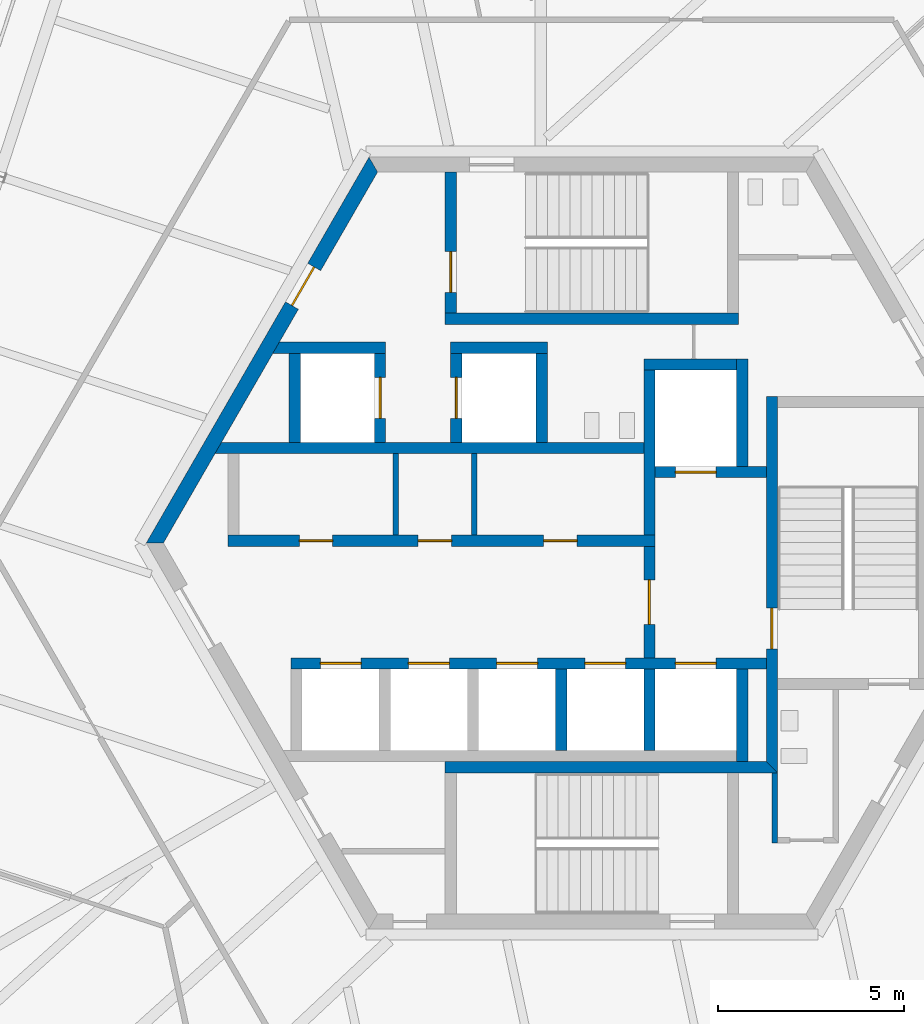
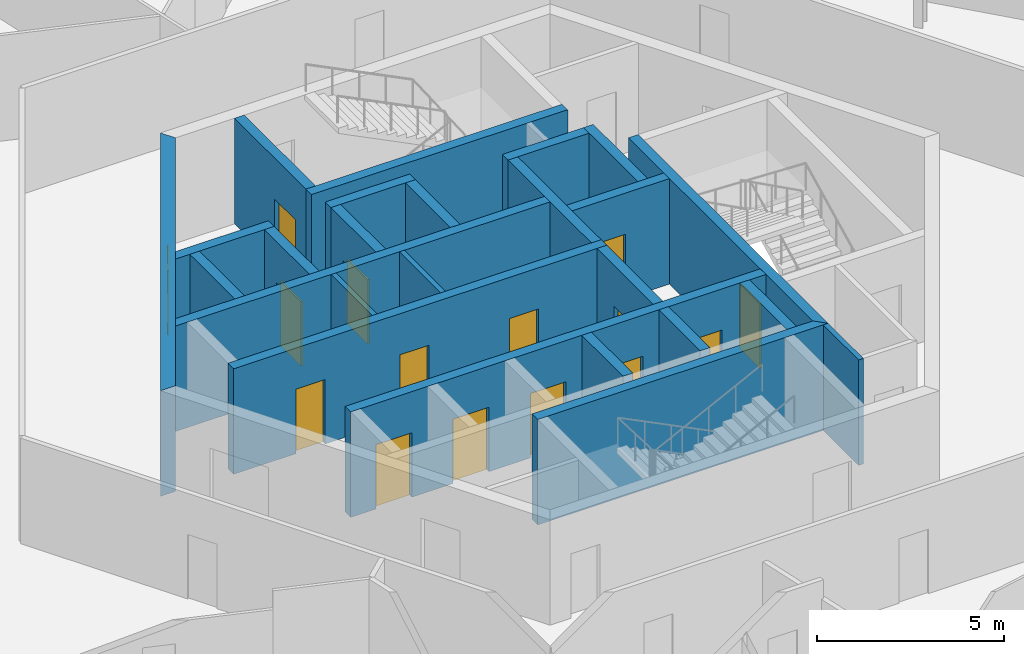
# One storey, part 11 of 15: 25 walls, 15 doors, 15 openings.
"""IFC4 building model written with IfcOpenShell, lengths in metres."""

from ifc_helpers import new_model, si_unit, direction, frame, frame_2d, origin, place, context, subcontext, project, spatial, polyline, rectangle, outline, extrude, source, transform, mapped, material, layer, layer_set, type_object, element, fill, save


model = new_model("IFC4")

# Units and contexts
model_context = context("Model", 3, precision=1e-05, world=origin(), true_north=direction((0.0, 1.0)))
body_context = subcontext(model_context, "Body", "Model", "MODEL_VIEW")
ifc_project = project(units=[si_unit("LENGTHUNIT", "METRE"), si_unit("AREAUNIT", "SQUARE_METRE"), si_unit("VOLUMEUNIT", "CUBIC_METRE"), si_unit("PLANEANGLEUNIT", "RADIAN"), si_unit("MASSUNIT", "GRAM", prefix="KILO")], contexts=[model_context])

# Site, building, storey
site_placement = place(None, origin())
site = spatial("IfcSite", under=ifc_project, at=site_placement, CompositionType="ELEMENT")
building_placement = place(site_placement, origin())
building = spatial("IfcBuilding", under=site, at=building_placement, Name="Triune Harvest Tower", CompositionType="ELEMENT")
storey_placement = place(building_placement, frame((0.0, 0.0, 270.300048828125)))
storey = spatial("IfcBuildingStorey", under=building, at=storey_placement, Name="L71", CompositionType="ELEMENT", Elevation=270.300048828125)

# Wall, opening, door
ifc_material_1 = material(Name="Concrete 70 MPa", Category="concrete")
ifc_layer_1 = layer(ifc_material_1, 0.39990234375)
ifc_layer_set_1 = layer_set([ifc_layer_1], Name="Concrete 70 MPa")
wall_type_1 = type_object("IfcWallType", Name="Core wall 400", PredefinedType="SHEAR", material=ifc_layer_set_1)
shared_shape_1 = source(origin(), body_context, "Body", "SweptSolid", [
    extrude(outline(polyline([(-0.115478515625, -0.199951171875), (11.884521484375, -0.199951171875), (11.653564453125, 0.199951171875), (0.115478515625, 0.199951171875), (-0.115478515625, -0.199951171875)])), origin(), (0.0, 0.0, 1.0), 3.43994140625),
])
wall_1_placement = place(storey_placement, frame((-5.884521484375, 10.1923828125, 0.0), z_axis=(0.0, 0.0, 1.0), x_axis=(-0.499996592174, -0.866027371285, 0.0)))
wall_1 = element("IfcWall", 1, at=wall_1_placement, inside=storey, type_object=wall_type_1, Name="Hexagon 2 wall", PredefinedType="SHEAR", context=body_context, shape_type="MappedRepresentation", body=[
    mapped(shared_shape_1, transform((0.0, 0.0, 0.0), scale=1.0)),
])
opening_1_placement = place(wall_1_placement, frame((3.1845703125, 0.0, 0.0)))
opening_1 = element("IfcOpeningElement", 2, at=opening_1_placement, cuts=wall_1, Name="Opening CD-SVP", PredefinedType="OPENING", context=body_context, shape_type="SweptSolid", body=[
    extrude(rectangle(XDim=1.199951171875, YDim=2.10009765625, at=frame_2d((0.60009765625, 1.050048828125))), frame((0.0, 0.2099609375, 0.0), z_axis=(0.0, -1.0, 0.0), x_axis=(1.0, 0.0, 0.0)), (0.0, 0.0, 1.0), 0.419921875),
])
ifc_material_2 = material(Name="Steel S235", Category="steel")
door_type_1 = type_object("IfcDoorType", Name="Service door 1200 FD120", OperationType="SINGLE_SWING_LEFT", PredefinedType="DOOR", material=ifc_material_2)
door_1_placement = place(opening_1_placement, frame((1.199951171875, 0.0, 0.0), z_axis=(0.0, 0.0, 1.0), x_axis=(-1.0, 0.0, 0.0)))
door_1 = element("IfcDoor", 3, at=door_1_placement, inside=storey, type_object=door_type_1, Name="Door CD-SVP", OperationType="SINGLE_SWING_RIGHT", OverallHeight=2.10009765625, OverallWidth=1.199951171875, PredefinedType="DOOR", context=body_context, shape_type="SweptSolid", body=[
    extrude(rectangle(XDim=1.199951171875, YDim=2.10009765625, at=frame_2d((0.60009765625, 1.050048828125))), frame((0.0, 0.02490234375, 0.0), z_axis=(0.0, -1.0, 0.0), x_axis=(1.0, 0.0, 0.0)), (0.0, 0.0, 1.0), 0.050048828125),
])
fill(opening_1, door_1)

# Wall, openings, doors
ifc_material_3 = material(Name="Concrete 70 MPa", Category="concrete")
ifc_layer_2 = layer(ifc_material_3, 0.300048828125)
ifc_layer_set_2 = layer_set([ifc_layer_2], Name="Concrete 70 MPa")
wall_type_2 = type_object("IfcWallType", Name="Core wall 300", PredefinedType="SHEAR", material=ifc_layer_set_2)
shared_shape_2 = source(origin(), body_context, "Body", "SweptSolid", [
    extrude(rectangle(XDim=11.5, YDim=0.300048828125, at=frame_2d((5.75, 0.0))), origin(), (0.0, 0.0, 1.0), 3.43994140625),
])
wall_2_placement = place(storey_placement, frame((-9.800048828125, 0.06005859375, 0.0), z_axis=(0.0, 0.0, 1.0), x_axis=(1.0, 0.0, 0.0)))
wall_2 = element("IfcWall", 4, at=wall_2_placement, inside=storey, type_object=wall_type_2, Name="North front wall", PredefinedType="SHEAR", context=body_context, shape_type="MappedRepresentation", body=[
    mapped(shared_shape_2, transform((0.0, 0.0, 0.0), scale=1.0)),
])
opening_2_placement = place(wall_2_placement, frame((1.922607421875, 0.0, 0.0)))
opening_2 = element("IfcOpeningElement", 5, at=opening_2_placement, cuts=wall_2, Name="Opening CD-RN1", PredefinedType="OPENING", context=body_context, shape_type="SweptSolid", body=[
    extrude(rectangle(XDim=0.89990234375, YDim=2.10009765625, at=frame_2d((0.449951171875, 1.050048828125))), frame((0.0, 0.16015625, 0.0), z_axis=(0.0, -1.0, 0.0), x_axis=(1.0, 0.0, 0.0)), (0.0, 0.0, 1.0), 0.320068359375),
])
opening_3_placement = place(wall_2_placement, frame((5.125, 0.0, 0.0)))
opening_3 = element("IfcOpeningElement", 6, at=opening_3_placement, cuts=wall_2, Name="Opening CD-RN2", PredefinedType="OPENING", context=body_context, shape_type="SweptSolid", body=[
    extrude(rectangle(XDim=0.89990234375, YDim=2.10009765625, at=frame_2d((0.449951171875, 1.050048828125))), frame((0.0, 0.16015625, 0.0), z_axis=(0.0, -1.0, 0.0), x_axis=(1.0, 0.0, 0.0)), (0.0, 0.0, 1.0), 0.320068359375),
])
opening_4_placement = place(wall_2_placement, frame((8.50244140625, 0.0, 0.0)))
opening_4 = element("IfcOpeningElement", 7, at=opening_4_placement, cuts=wall_2, Name="Opening CD-RN3", PredefinedType="OPENING", context=body_context, shape_type="SweptSolid", body=[
    extrude(rectangle(XDim=0.89990234375, YDim=2.10009765625, at=frame_2d((0.449951171875, 1.050048828125))), frame((0.0, 0.16015625, 0.0), z_axis=(0.0, -1.0, 0.0), x_axis=(1.0, 0.0, 0.0)), (0.0, 0.0, 1.0), 0.320068359375),
])
ifc_material_4 = material(Name="Steel S235", Category="steel")
door_type_2 = type_object("IfcDoorType", Name="Riser door 900 FD120", OperationType="SINGLE_SWING_LEFT", PredefinedType="DOOR", material=ifc_material_4)
door_2_placement = place(opening_2_placement, frame((0.89990234375, 0.0, 0.0), z_axis=(0.0, 0.0, 1.0), x_axis=(-1.0, 0.0, 0.0)))
door_2 = element("IfcDoor", 8, at=door_2_placement, inside=storey, type_object=door_type_2, Name="Door CD-RN1", OperationType="SINGLE_SWING_RIGHT", OverallHeight=2.10009765625, OverallWidth=0.89990234375, PredefinedType="DOOR", context=body_context, shape_type="SweptSolid", body=[
    extrude(rectangle(XDim=0.89990234375, YDim=2.10009765625, at=frame_2d((0.449951171875, 1.050048828125))), frame((0.0, 0.02490234375, 0.0), z_axis=(0.0, -1.0, 0.0), x_axis=(1.0, 0.0, 0.0)), (0.0, 0.0, 1.0), 0.050048828125),
])
fill(opening_2, door_2)
door_3_placement = place(opening_3_placement, frame((0.89990234375, 0.0, 0.0), z_axis=(0.0, 0.0, 1.0), x_axis=(-1.0, 0.0, 0.0)))
door_3 = element("IfcDoor", 9, at=door_3_placement, inside=storey, type_object=door_type_2, Name="Door CD-RN2", OperationType="SINGLE_SWING_RIGHT", OverallHeight=2.10009765625, OverallWidth=0.89990234375, PredefinedType="DOOR", context=body_context, shape_type="SweptSolid", body=[
    extrude(rectangle(XDim=0.89990234375, YDim=2.10009765625, at=frame_2d((0.449951171875, 1.050048828125))), frame((0.0, 0.02490234375, 0.0), z_axis=(0.0, -1.0, 0.0), x_axis=(1.0, 0.0, 0.0)), (0.0, 0.0, 1.0), 0.050048828125),
])
fill(opening_3, door_3)
door_4_placement = place(opening_4_placement, frame((0.89990234375, 0.0, 0.0), z_axis=(0.0, 0.0, 1.0), x_axis=(-1.0, 0.0, 0.0)))
door_4 = element("IfcDoor", 10, at=door_4_placement, inside=storey, type_object=door_type_2, Name="Door CD-RN3", OperationType="SINGLE_SWING_RIGHT", OverallHeight=2.10009765625, OverallWidth=0.89990234375, PredefinedType="DOOR", context=body_context, shape_type="SweptSolid", body=[
    extrude(rectangle(XDim=0.89990234375, YDim=2.10009765625, at=frame_2d((0.449951171875, 1.050048828125))), frame((0.0, 0.02490234375, 0.0), z_axis=(0.0, -1.0, 0.0), x_axis=(1.0, 0.0, 0.0)), (0.0, 0.0, 1.0), 0.050048828125),
])
fill(opening_4, door_4)

# Walls
shared_shape_3 = source(origin(), body_context, "Body", "SweptSolid", [
    extrude(outline(polyline([(11.199951171875, -0.14990234375), (-0.34912109375, -0.14990234375), (-0.17578125, 0.14990234375), (11.199951171875, 0.14990234375), (11.199951171875, -0.14990234375)])), origin(), (0.0, 0.0, 1.0), 3.43994140625),
])
wall_3_placement = place(storey_placement, frame((-9.800048828125, 2.56005859375, 0.0), z_axis=(0.0, 0.0, 1.0), x_axis=(1.0, 0.0, 0.0)))
element("IfcWall", 11, at=wall_3_placement, inside=storey, type_object=wall_type_2, Name="North back wall", PredefinedType="SHEAR", context=body_context, shape_type="MappedRepresentation", body=[
    mapped(shared_shape_3, transform((0.0, 0.0, 0.0), scale=1.0)),
])
shared_shape_4 = source(origin(), body_context, "Body", "SweptSolid", [
    extrude(rectangle(XDim=2.5, YDim=0.300048828125, at=frame_2d((1.25, 0.0))), origin(), (0.0, 0.0, 1.0), 3.43994140625),
])
for number, where, z_axis, x_axis, name in (
    (12, (1.39990234375, 4.81005859375, 0.0), (0.0, 0.0, 1.0), (1.0, 0.0, 0.0), "Ff1 back wall"),
    (13, (4.050048828125, -5.889892578125, 0.0), (0.0, 0.0, 1.0), (0.0, 1.0, 0.0), "Ff2 east wall"),
):
    element("IfcWall", number, at=place(storey_placement, frame(where, z_axis=z_axis, x_axis=x_axis)), inside=storey, type_object=wall_type_2, Name=name, PredefinedType="SHEAR", context=body_context, shape_type="MappedRepresentation", body=[
        mapped(shared_shape_4, transform((0.0, 0.0, 0.0), scale=1.0)),
    ])
shared_shape_5 = source(origin(), body_context, "Body", "SweptSolid", [
    extrude(rectangle(XDim=4.449951171875, YDim=0.300048828125, at=frame_2d((2.22509765625, 0.0))), origin(), (0.0, 0.0, 1.0), 3.43994140625),
])
wall_4_placement = place(storey_placement, frame((1.550048828125, 0.2099609375, 0.0), z_axis=(0.0, 0.0, 1.0), x_axis=(0.0, 1.0, 0.0)))
element("IfcWall", 14, at=wall_4_placement, inside=storey, type_object=wall_type_2, Name="Ff1 west wall", PredefinedType="SHEAR", context=body_context, shape_type="MappedRepresentation", body=[
    mapped(shared_shape_5, transform((0.0, 0.0, 0.0), scale=1.0)),
])

# Wall, opening, door
shared_shape_6 = source(origin(), body_context, "Body", "SweptSolid", [
    extrude(rectangle(XDim=3.0, YDim=0.300048828125, at=frame_2d((1.5, 0.0))), origin(), (0.0, 0.0, 1.0), 3.43994140625),
])
wall_5_placement = place(storey_placement, frame((1.699951171875, 1.909912109375, 0.0), z_axis=(0.0, 0.0, 1.0), x_axis=(1.0, 0.0, 0.0)))
wall_5 = element("IfcWall", 15, at=wall_5_placement, inside=storey, type_object=wall_type_2, Name="Ff1 front wall", PredefinedType="SHEAR", context=body_context, shape_type="MappedRepresentation", body=[
    mapped(shared_shape_6, transform((0.0, 0.0, 0.0), scale=1.0)),
])
opening_5_placement = place(wall_5_placement, frame((0.550048828125, 0.0, 0.0)))
opening_5 = element("IfcOpeningElement", 16, at=opening_5_placement, cuts=wall_5, Name="Opening LD-FF1-71", PredefinedType="OPENING", context=body_context, shape_type="SweptSolid", body=[
    extrude(rectangle(XDim=1.10009765625, YDim=2.10009765625, at=frame_2d((0.550048828125, 1.050048828125))), frame((0.0, 0.16015625, 0.0), z_axis=(0.0, -1.0, 0.0), x_axis=(1.0, 0.0, 0.0)), (0.0, 0.0, 1.0), 0.320068359375),
])
ifc_material_5 = material(Name="Stainless steel AISI 304", Category="steel")
door_type_3 = type_object("IfcDoorType", Name="Landing door 1100 x 2100", OperationType="DOUBLE_DOOR_SLIDING", PredefinedType="DOOR", material=ifc_material_5)
door_5_placement = place(opening_5_placement, origin())
door_5 = element("IfcDoor", 17, at=door_5_placement, inside=storey, type_object=door_type_3, Name="Door LD-FF1-71", OperationType="DOUBLE_DOOR_SLIDING", OverallHeight=2.10009765625, OverallWidth=1.10009765625, PredefinedType="DOOR", context=body_context, shape_type="SweptSolid", body=[
    extrude(rectangle(XDim=1.10009765625, YDim=2.10009765625, at=frame_2d((0.550048828125, 1.050048828125))), frame((0.0, 0.02490234375, 0.0), z_axis=(0.0, -1.0, 0.0), x_axis=(1.0, 0.0, 0.0)), (0.0, 0.0, 1.0), 0.050048828125),
])
fill(opening_5, door_5)

wall_6_placement = place(storey_placement, frame((1.550048828125, -3.090087890625, 0.0), z_axis=(0.0, 0.0, 1.0), x_axis=(0.0, 1.0, 0.0)))
wall_6 = element("IfcWall", 18, at=wall_6_placement, inside=storey, type_object=wall_type_2, Name="Ff lobby west wall", PredefinedType="SHEAR", context=body_context, shape_type="MappedRepresentation", body=[
    mapped(shared_shape_6, transform((0.0, 0.0, 0.0), scale=1.0)),
])
opening_6_placement = place(wall_6_placement, frame((0.89990234375, 0.0, 0.0)))
opening_6 = element("IfcOpeningElement", 19, at=opening_6_placement, cuts=wall_6, Name="Opening CD-FL", PredefinedType="OPENING", context=body_context, shape_type="SweptSolid", body=[
    extrude(rectangle(XDim=1.199951171875, YDim=2.10009765625, at=frame_2d((0.60009765625, 1.050048828125))), frame((0.0, 0.16015625, 0.0), z_axis=(0.0, -1.0, 0.0), x_axis=(1.0, 0.0, 0.0)), (0.0, 0.0, 1.0), 0.320068359375),
])
ifc_material_6 = material(Name="Steel S235", Category="steel")
door_type_4 = type_object("IfcDoorType", Name="Firefighters' lobby door 1200 FD120", OperationType="SINGLE_SWING_LEFT", PredefinedType="DOOR", material=ifc_material_6)
door_6_placement = place(opening_6_placement, frame((1.199951171875, 0.0, 0.0), z_axis=(0.0, 0.0, 1.0), x_axis=(-1.0, 0.0, 0.0)))
door_6 = element("IfcDoor", 20, at=door_6_placement, inside=storey, type_object=door_type_4, Name="Door CD-FL", OperationType="SINGLE_SWING_RIGHT", OverallHeight=2.10009765625, OverallWidth=1.199951171875, PredefinedType="DOOR", context=body_context, shape_type="SweptSolid", body=[
    extrude(rectangle(XDim=1.199951171875, YDim=2.10009765625, at=frame_2d((0.60009765625, 1.050048828125))), frame((0.0, 0.02490234375, 0.0), z_axis=(0.0, -1.0, 0.0), x_axis=(1.0, 0.0, 0.0)), (0.0, 0.0, 1.0), 0.050048828125),
])
fill(opening_6, door_6)

# Wall
shared_shape_7 = source(origin(), body_context, "Body", "SweptSolid", [
    extrude(rectangle(XDim=2.89990234375, YDim=0.300048828125, at=frame_2d((1.449951171875, 0.0))), origin(), (0.0, 0.0, 1.0), 3.43994140625),
])
wall_7_placement = place(storey_placement, frame((4.050048828125, 2.06005859375, 0.0), z_axis=(0.0, 0.0, 1.0), x_axis=(0.0, 1.0, 0.0)))
element("IfcWall", 21, at=wall_7_placement, inside=storey, type_object=wall_type_2, Name="Ff1 east wall", PredefinedType="SHEAR", context=body_context, shape_type="MappedRepresentation", body=[
    mapped(shared_shape_7, transform((0.0, 0.0, 0.0), scale=1.0)),
])

# Wall, openings, doors
shared_shape_8 = source(origin(), body_context, "Body", "SweptSolid", [
    extrude(rectangle(XDim=12.800048828125, YDim=0.300048828125, at=frame_2d((6.39990234375, 0.0))), origin(), (0.0, 0.0, 1.0), 3.43994140625),
])
wall_8_placement = place(storey_placement, frame((-8.10009765625, -3.239990234375, 0.0), z_axis=(0.0, 0.0, 1.0), x_axis=(1.0, 0.0, 0.0)))
wall_8 = element("IfcWall", 22, at=wall_8_placement, inside=storey, type_object=wall_type_2, Name="South front wall", PredefinedType="SHEAR", context=body_context, shape_type="MappedRepresentation", body=[
    mapped(shared_shape_8, transform((0.0, 0.0, 0.0), scale=1.0)),
])
opening_7_placement = place(wall_8_placement, frame((0.78759765625, 0.0, 0.0)))
opening_7 = element("IfcOpeningElement", 23, at=opening_7_placement, cuts=wall_8, Name="Opening LD-HR1-71", PredefinedType="OPENING", context=body_context, shape_type="SweptSolid", body=[
    extrude(rectangle(XDim=1.10009765625, YDim=2.10009765625, at=frame_2d((0.550048828125, 1.050048828125))), frame((0.0, 0.16015625, 0.0), z_axis=(0.0, -1.0, 0.0), x_axis=(1.0, 0.0, 0.0)), (0.0, 0.0, 1.0), 0.320068359375),
])
opening_8_placement = place(wall_8_placement, frame((3.16259765625, 0.0, 0.0)))
opening_8 = element("IfcOpeningElement", 24, at=opening_8_placement, cuts=wall_8, Name="Opening LD-HR2-71", PredefinedType="OPENING", context=body_context, shape_type="SweptSolid", body=[
    extrude(rectangle(XDim=1.10009765625, YDim=2.10009765625, at=frame_2d((0.550048828125, 1.050048828125))), frame((0.0, 0.16015625, 0.0), z_axis=(0.0, -1.0, 0.0), x_axis=(1.0, 0.0, 0.0)), (0.0, 0.0, 1.0), 0.320068359375),
])
opening_9_placement = place(wall_8_placement, frame((5.53759765625, 0.0, 0.0)))
opening_9 = element("IfcOpeningElement", 25, at=opening_9_placement, cuts=wall_8, Name="Opening LD-HR3-71", PredefinedType="OPENING", context=body_context, shape_type="SweptSolid", body=[
    extrude(rectangle(XDim=1.10009765625, YDim=2.10009765625, at=frame_2d((0.550048828125, 1.050048828125))), frame((0.0, 0.16015625, 0.0), z_axis=(0.0, -1.0, 0.0), x_axis=(1.0, 0.0, 0.0)), (0.0, 0.0, 1.0), 0.320068359375),
])
opening_10_placement = place(wall_8_placement, frame((7.91259765625, 0.0, 0.0)))
opening_10 = element("IfcOpeningElement", 26, at=opening_10_placement, cuts=wall_8, Name="Opening LD-HR4-71", PredefinedType="OPENING", context=body_context, shape_type="SweptSolid", body=[
    extrude(rectangle(XDim=1.10009765625, YDim=2.10009765625, at=frame_2d((0.550048828125, 1.050048828125))), frame((0.0, 0.16015625, 0.0), z_axis=(0.0, -1.0, 0.0), x_axis=(1.0, 0.0, 0.0)), (0.0, 0.0, 1.0), 0.320068359375),
])
opening_11_placement = place(wall_8_placement, frame((10.35009765625, 0.0, 0.0)))
opening_11 = element("IfcOpeningElement", 27, at=opening_11_placement, cuts=wall_8, Name="Opening LD-FF2-71", PredefinedType="OPENING", context=body_context, shape_type="SweptSolid", body=[
    extrude(rectangle(XDim=1.10009765625, YDim=2.10009765625, at=frame_2d((0.550048828125, 1.050048828125))), frame((0.0, 0.16015625, 0.0), z_axis=(0.0, -1.0, 0.0), x_axis=(1.0, 0.0, 0.0)), (0.0, 0.0, 1.0), 0.320068359375),
])
door_7_placement = place(opening_7_placement, origin())
door_7 = element("IfcDoor", 28, at=door_7_placement, inside=storey, type_object=door_type_3, Name="Door LD-HR1-71", OperationType="DOUBLE_DOOR_SLIDING", OverallHeight=2.10009765625, OverallWidth=1.10009765625, PredefinedType="DOOR", context=body_context, shape_type="SweptSolid", body=[
    extrude(rectangle(XDim=1.10009765625, YDim=2.10009765625, at=frame_2d((0.550048828125, 1.050048828125))), frame((0.0, 0.02490234375, 0.0), z_axis=(0.0, -1.0, 0.0), x_axis=(1.0, 0.0, 0.0)), (0.0, 0.0, 1.0), 0.050048828125),
])
fill(opening_7, door_7)
door_8_placement = place(opening_8_placement, origin())
door_8 = element("IfcDoor", 29, at=door_8_placement, inside=storey, type_object=door_type_3, Name="Door LD-HR2-71", OperationType="DOUBLE_DOOR_SLIDING", OverallHeight=2.10009765625, OverallWidth=1.10009765625, PredefinedType="DOOR", context=body_context, shape_type="SweptSolid", body=[
    extrude(rectangle(XDim=1.10009765625, YDim=2.10009765625, at=frame_2d((0.550048828125, 1.050048828125))), frame((0.0, 0.02490234375, 0.0), z_axis=(0.0, -1.0, 0.0), x_axis=(1.0, 0.0, 0.0)), (0.0, 0.0, 1.0), 0.050048828125),
])
fill(opening_8, door_8)
door_9_placement = place(opening_9_placement, origin())
door_9 = element("IfcDoor", 30, at=door_9_placement, inside=storey, type_object=door_type_3, Name="Door LD-HR3-71", OperationType="DOUBLE_DOOR_SLIDING", OverallHeight=2.10009765625, OverallWidth=1.10009765625, PredefinedType="DOOR", context=body_context, shape_type="SweptSolid", body=[
    extrude(rectangle(XDim=1.10009765625, YDim=2.10009765625, at=frame_2d((0.550048828125, 1.050048828125))), frame((0.0, 0.02490234375, 0.0), z_axis=(0.0, -1.0, 0.0), x_axis=(1.0, 0.0, 0.0)), (0.0, 0.0, 1.0), 0.050048828125),
])
fill(opening_9, door_9)
door_10_placement = place(opening_10_placement, origin())
door_10 = element("IfcDoor", 31, at=door_10_placement, inside=storey, type_object=door_type_3, Name="Door LD-HR4-71", OperationType="DOUBLE_DOOR_SLIDING", OverallHeight=2.10009765625, OverallWidth=1.10009765625, PredefinedType="DOOR", context=body_context, shape_type="SweptSolid", body=[
    extrude(rectangle(XDim=1.10009765625, YDim=2.10009765625, at=frame_2d((0.550048828125, 1.050048828125))), frame((0.0, 0.02490234375, 0.0), z_axis=(0.0, -1.0, 0.0), x_axis=(1.0, 0.0, 0.0)), (0.0, 0.0, 1.0), 0.050048828125),
])
fill(opening_10, door_10)
door_11_placement = place(opening_11_placement, origin())
door_11 = element("IfcDoor", 32, at=door_11_placement, inside=storey, type_object=door_type_3, Name="Door LD-FF2-71", OperationType="DOUBLE_DOOR_SLIDING", OverallHeight=2.10009765625, OverallWidth=1.10009765625, PredefinedType="DOOR", context=body_context, shape_type="SweptSolid", body=[
    extrude(rectangle(XDim=1.10009765625, YDim=2.10009765625, at=frame_2d((0.550048828125, 1.050048828125))), frame((0.0, 0.02490234375, 0.0), z_axis=(0.0, -1.0, 0.0), x_axis=(1.0, 0.0, 0.0)), (0.0, 0.0, 1.0), 0.050048828125),
])
fill(opening_11, door_11)

# Walls
shared_shape_9 = source(origin(), body_context, "Body", "SweptSolid", [
    extrude(rectangle(XDim=2.2001953125, YDim=0.300048828125, at=frame_2d((1.10009765625, 0.0))), origin(), (0.0, 0.0, 1.0), 3.43994140625),
])
for number, where, z_axis, x_axis, name in (
    (33, (1.550048828125, -5.590087890625, 0.0), (0.0, 0.0, 1.0), (0.0, 1.0, 0.0), "Ff2 west wall"),
    (34, (-0.824951171875, -5.590087890625, 0.0), (0.0, 0.0, 1.0), (0.0, 1.0, 0.0), "South cross 3 wall"),
):
    element("IfcWall", number, at=place(storey_placement, frame(where, z_axis=z_axis, x_axis=x_axis)), inside=storey, type_object=wall_type_2, Name=name, PredefinedType="SHEAR", context=body_context, shape_type="MappedRepresentation", body=[
        mapped(shared_shape_9, transform((0.0, 0.0, 0.0), scale=1.0)),
    ])

# Wall, opening, door
shared_shape_10 = source(origin(), body_context, "Body", "SweptSolid", [
    extrude(outline(polyline([(-0.14990234375, -0.14990234375), (9.989990234375, -0.14990234375), (9.989990234375, 0.14990234375), (0.14990234375, 0.14990234375), (-0.14990234375, -0.14990234375)])), origin(), (0.0, 0.0, 1.0), 3.43994140625),
])
wall_9_placement = place(storey_placement, frame((4.85009765625, -6.0400390625, 0.0), z_axis=(0.0, 0.0, 1.0), x_axis=(0.0, 1.0, 0.0)))
wall_9 = element("IfcWall", 35, at=wall_9_placement, inside=storey, type_object=wall_type_2, Name="Stair e west wall", PredefinedType="SHEAR", context=body_context, shape_type="MappedRepresentation", body=[
    mapped(shared_shape_10, transform((0.0, 0.0, 0.0), scale=1.0)),
])
opening_12_placement = place(wall_9_placement, frame((3.18994140625, 0.0, 0.0)))
opening_12 = element("IfcOpeningElement", 36, at=opening_12_placement, cuts=wall_9, Name="Opening CD-S3L", PredefinedType="OPENING", context=body_context, shape_type="SweptSolid", body=[
    extrude(rectangle(XDim=1.10009765625, YDim=2.10009765625, at=frame_2d((0.550048828125, 1.050048828125))), frame((0.0, 0.16015625, 0.0), z_axis=(0.0, -1.0, 0.0), x_axis=(1.0, 0.0, 0.0)), (0.0, 0.0, 1.0), 0.320068359375),
])
ifc_material_7 = material(Name="Steel S235", Category="steel")
door_type_5 = type_object("IfcDoorType", Name="Stair door 1100 FD120", OperationType="SINGLE_SWING_LEFT", PredefinedType="DOOR", material=ifc_material_7)
door_12_placement = place(opening_12_placement, frame((1.10009765625, 0.0, 0.0), z_axis=(0.0, 0.0, 1.0), x_axis=(-1.0, 0.0, 0.0)))
door_12 = element("IfcDoor", 37, at=door_12_placement, inside=storey, type_object=door_type_5, Name="Door CD-S3L", OperationType="SINGLE_SWING_RIGHT", OverallHeight=2.10009765625, OverallWidth=1.10009765625, PredefinedType="DOOR", context=body_context, shape_type="SweptSolid", body=[
    extrude(rectangle(XDim=1.10009765625, YDim=2.10009765625, at=frame_2d((0.550048828125, 1.050048828125))), frame((0.0, 0.02490234375, 0.0), z_axis=(0.0, -1.0, 0.0), x_axis=(1.0, 0.0, 0.0)), (0.0, 0.0, 1.0), 0.050048828125),
])
fill(opening_12, door_12)

# Wall
shared_shape_11 = source(origin(), body_context, "Body", "SweptSolid", [
    extrude(rectangle(XDim=7.89990234375, YDim=0.300048828125, at=frame_2d((3.949951171875, 0.0))), origin(), (0.0, 0.0, 1.0), 3.43994140625),
])
wall_10_placement = place(storey_placement, frame((-3.949951171875, 6.0400390625, 0.0), z_axis=(0.0, 0.0, 1.0), x_axis=(1.0, 0.0, 0.0)))
element("IfcWall", 38, at=wall_10_placement, inside=storey, type_object=wall_type_2, Name="Stair n south wall", PredefinedType="SHEAR", context=body_context, shape_type="MappedRepresentation", body=[
    mapped(shared_shape_11, transform((0.0, 0.0, 0.0), scale=1.0)),
])

# Wall, opening, door
shared_shape_12 = source(origin(), body_context, "Body", "SweptSolid", [
    extrude(outline(polyline([(0.0, -0.14990234375), (0.0, 0.14990234375), (3.80419921875, 0.14990234375), (3.80419921875, -0.14990234375), (0.0, -0.14990234375)])), origin(), (0.0, 0.0, 1.0), 3.43994140625),
])
wall_11_placement = place(storey_placement, frame((-3.800048828125, 6.18994140625, 0.0), z_axis=(0.0, 0.0, 1.0), x_axis=(0.0, 1.0, 0.0)))
wall_11 = element("IfcWall", 39, at=wall_11_placement, inside=storey, type_object=wall_type_2, Name="Stair n west wall", PredefinedType="SHEAR", context=body_context, shape_type="MappedRepresentation", body=[
    mapped(shared_shape_12, transform((0.0, 0.0, 0.0), scale=1.0)),
])
opening_13_placement = place(wall_11_placement, frame((0.56005859375, 0.0, 0.0)))
opening_13 = element("IfcOpeningElement", 40, at=opening_13_placement, cuts=wall_11, Name="Opening CD-S1L", PredefinedType="OPENING", context=body_context, shape_type="SweptSolid", body=[
    extrude(rectangle(XDim=1.10009765625, YDim=2.10009765625, at=frame_2d((0.550048828125, 1.050048828125))), frame((0.0, 0.16015625, 0.0), z_axis=(0.0, -1.0, 0.0), x_axis=(1.0, 0.0, 0.0)), (0.0, 0.0, 1.0), 0.320068359375),
])
door_13_placement = place(opening_13_placement, frame((1.10009765625, 0.0, 0.0), z_axis=(0.0, 0.0, 1.0), x_axis=(-1.0, 0.0, 0.0)))
door_13 = element("IfcDoor", 41, at=door_13_placement, inside=storey, type_object=door_type_5, Name="Door CD-S1L", OperationType="SINGLE_SWING_RIGHT", OverallHeight=2.10009765625, OverallWidth=1.10009765625, PredefinedType="DOOR", context=body_context, shape_type="SweptSolid", body=[
    extrude(rectangle(XDim=1.10009765625, YDim=2.10009765625, at=frame_2d((0.550048828125, 1.050048828125))), frame((0.0, 0.02490234375, 0.0), z_axis=(0.0, -1.0, 0.0), x_axis=(1.0, 0.0, 0.0)), (0.0, 0.0, 1.0), 0.050048828125),
])
fill(opening_13, door_13)

# Walls
shared_shape_13 = source(origin(), body_context, "Body", "SweptSolid", [
    extrude(outline(polyline([(0.0, -0.14990234375), (8.949951171875, -0.14990234375), (8.64990234375, 0.14990234375), (0.0, 0.14990234375), (0.0, -0.14990234375)])), origin(), (0.0, 0.0, 1.0), 3.43994140625),
])
wall_12_placement = place(storey_placement, frame((-3.949951171875, -6.0400390625, 0.0), z_axis=(0.0, 0.0, 1.0), x_axis=(1.0, 0.0, 0.0)))
element("IfcWall", 42, at=wall_12_placement, inside=storey, type_object=wall_type_2, Name="Stair s north wall", PredefinedType="SHEAR", context=body_context, shape_type="MappedRepresentation", body=[
    mapped(shared_shape_13, transform((0.0, 0.0, 0.0), scale=1.0)),
])
shared_shape_14 = source(origin(), body_context, "Body", "SweptSolid", [
    extrude(outline(polyline([(2.60009765625, -0.14990234375), (-0.440185546875, -0.14990234375), (-0.26708984375, 0.14990234375), (2.60009765625, 0.14990234375), (2.60009765625, -0.14990234375)])), origin(), (0.0, 0.0, 1.0), 3.43994140625),
])
wall_13_placement = place(storey_placement, frame((-8.14990234375, 5.260009765625, 0.0), z_axis=(0.0, 0.0, 1.0), x_axis=(1.0, 0.0, 0.0)))
element("IfcWall", 43, at=wall_13_placement, inside=storey, type_object=wall_type_2, Name="Sv1 north wall", PredefinedType="SHEAR", context=body_context, shape_type="MappedRepresentation", body=[
    mapped(shared_shape_14, transform((0.0, 0.0, 0.0), scale=1.0)),
])
shared_shape_15 = source(origin(), body_context, "Body", "SweptSolid", [
    extrude(rectangle(XDim=2.400146484375, YDim=0.300048828125, at=frame_2d((1.2001953125, 0.0))), origin(), (0.0, 0.0, 1.0), 3.43994140625),
])
wall_14_placement = place(storey_placement, frame((-8.0, 2.7099609375, 0.0), z_axis=(0.0, 0.0, 1.0), x_axis=(0.0, 1.0, 0.0)))
element("IfcWall", 44, at=wall_14_placement, inside=storey, type_object=wall_type_2, Name="Sv1 west wall", PredefinedType="SHEAR", context=body_context, shape_type="MappedRepresentation", body=[
    mapped(shared_shape_15, transform((0.0, 0.0, 0.0), scale=1.0)),
])

# Wall, opening, door
wall_15_placement = place(storey_placement, frame((-5.699951171875, 2.7099609375, 0.0), z_axis=(0.0, 0.0, 1.0), x_axis=(0.0, 1.0, 0.0)))
wall_15 = element("IfcWall", 45, at=wall_15_placement, inside=storey, type_object=wall_type_2, Name="Sv1 east wall", PredefinedType="SHEAR", context=body_context, shape_type="MappedRepresentation", body=[
    mapped(shared_shape_15, transform((0.0, 0.0, 0.0), scale=1.0)),
])
opening_14_placement = place(wall_15_placement, frame((0.64990234375, 0.0, 0.0)))
opening_14 = element("IfcOpeningElement", 46, at=opening_14_placement, cuts=wall_15, Name="Opening LD-SV1-71", PredefinedType="OPENING", context=body_context, shape_type="SweptSolid", body=[
    extrude(rectangle(XDim=1.10009765625, YDim=2.10009765625, at=frame_2d((0.550048828125, 1.050048828125))), frame((0.0, 0.16015625, 0.0), z_axis=(0.0, -1.0, 0.0), x_axis=(1.0, 0.0, 0.0)), (0.0, 0.0, 1.0), 0.320068359375),
])
door_14_placement = place(opening_14_placement, origin())
door_14 = element("IfcDoor", 47, at=door_14_placement, inside=storey, type_object=door_type_3, Name="Door LD-SV1-71", OperationType="DOUBLE_DOOR_SLIDING", OverallHeight=2.10009765625, OverallWidth=1.10009765625, PredefinedType="DOOR", context=body_context, shape_type="SweptSolid", body=[
    extrude(rectangle(XDim=1.10009765625, YDim=2.10009765625, at=frame_2d((0.550048828125, 1.050048828125))), frame((0.0, 0.02490234375, 0.0), z_axis=(0.0, -1.0, 0.0), x_axis=(1.0, 0.0, 0.0)), (0.0, 0.0, 1.0), 0.050048828125),
])
fill(opening_14, door_14)

wall_16_placement = place(storey_placement, frame((-3.64990234375, 2.7099609375, 0.0), z_axis=(0.0, 0.0, 1.0), x_axis=(0.0, 1.0, 0.0)))
wall_16 = element("IfcWall", 48, at=wall_16_placement, inside=storey, type_object=wall_type_2, Name="Sv2 west wall", PredefinedType="SHEAR", context=body_context, shape_type="MappedRepresentation", body=[
    mapped(shared_shape_15, transform((0.0, 0.0, 0.0), scale=1.0)),
])
opening_15_placement = place(wall_16_placement, frame((0.64990234375, 0.0, 0.0)))
opening_15 = element("IfcOpeningElement", 49, at=opening_15_placement, cuts=wall_16, Name="Opening LD-SV2-71", PredefinedType="OPENING", context=body_context, shape_type="SweptSolid", body=[
    extrude(rectangle(XDim=1.10009765625, YDim=2.10009765625, at=frame_2d((0.550048828125, 1.050048828125))), frame((0.0, 0.16015625, 0.0), z_axis=(0.0, -1.0, 0.0), x_axis=(1.0, 0.0, 0.0)), (0.0, 0.0, 1.0), 0.320068359375),
])
door_15_placement = place(opening_15_placement, origin())
door_15 = element("IfcDoor", 50, at=door_15_placement, inside=storey, type_object=door_type_3, Name="Door LD-SV2-71", OperationType="DOUBLE_DOOR_SLIDING", OverallHeight=2.10009765625, OverallWidth=1.10009765625, PredefinedType="DOOR", context=body_context, shape_type="SweptSolid", body=[
    extrude(rectangle(XDim=1.10009765625, YDim=2.10009765625, at=frame_2d((0.550048828125, 1.050048828125))), frame((0.0, 0.02490234375, 0.0), z_axis=(0.0, -1.0, 0.0), x_axis=(1.0, 0.0, 0.0)), (0.0, 0.0, 1.0), 0.050048828125),
])
fill(opening_15, door_15)

# Walls
wall_17_placement = place(storey_placement, frame((-1.35009765625, 2.7099609375, 0.0), z_axis=(0.0, 0.0, 1.0), x_axis=(0.0, 1.0, 0.0)))
element("IfcWall", 51, at=wall_17_placement, inside=storey, type_object=wall_type_2, Name="Sv2 east wall", PredefinedType="SHEAR", context=body_context, shape_type="MappedRepresentation", body=[
    mapped(shared_shape_15, transform((0.0, 0.0, 0.0), scale=1.0)),
])
shared_shape_16 = source(origin(), body_context, "Body", "SweptSolid", [
    extrude(rectangle(XDim=2.60009765625, YDim=0.300048828125, at=frame_2d((1.300048828125, 0.0))), origin(), (0.0, 0.0, 1.0), 3.43994140625),
])
wall_18_placement = place(storey_placement, frame((-3.800048828125, 5.260009765625, 0.0), z_axis=(0.0, 0.0, 1.0), x_axis=(1.0, 0.0, 0.0)))
element("IfcWall", 52, at=wall_18_placement, inside=storey, type_object=wall_type_2, Name="Sv2 north wall", PredefinedType="SHEAR", context=body_context, shape_type="MappedRepresentation", body=[
    mapped(shared_shape_16, transform((0.0, 0.0, 0.0), scale=1.0)),
])
ifc_material_8 = material(Name="Concrete masonry unit", Category="masonry")
ifc_layer_3 = layer(ifc_material_8, 0.14990234375)
ifc_layer_set_3 = layer_set([ifc_layer_3], Name="Concrete masonry unit")
wall_type_3 = type_object("IfcWallType", Name="Block partition 150 unrated", PredefinedType="PARTITIONING", material=ifc_layer_set_3)
shared_shape_17 = source(origin(), body_context, "Body", "SweptSolid", [
    extrude(rectangle(XDim=1.885009765625, YDim=0.14990234375, at=frame_2d((0.9423828125, 0.0))), origin(), (0.0, 0.0, 1.0), 3.43994140625),
])
wall_19_placement = place(storey_placement, frame((4.925048828125, -8.074951171875, 0.0), z_axis=(0.0, 0.0, 1.0), x_axis=(0.0, 1.0, 0.0)))
element("IfcWall", 53, at=wall_19_placement, inside=storey, type_object=wall_type_3, Name="Wc acc west wall", PredefinedType="PARTITIONING", context=body_context, shape_type="MappedRepresentation", body=[
    mapped(shared_shape_17, transform((0.0, 0.0, 0.0), scale=1.0)),
])
ifc_material_9 = material(Name="Concrete masonry unit", Category="masonry")
ifc_layer_4 = layer(ifc_material_9, 0.14990234375)
ifc_layer_set_4 = layer_set([ifc_layer_4], Name="Concrete masonry unit")
wall_type_4 = type_object("IfcWallType", Name="Block partition 150", PredefinedType="PARTITIONING", material=ifc_layer_set_4)
shared_shape_18 = source(origin(), body_context, "Body", "SweptSolid", [
    extrude(rectangle(XDim=2.199951171875, YDim=0.14990234375, at=frame_2d((1.10009765625, 0.0))), origin(), (0.0, 0.0, 1.0), 3.43994140625),
])
for number, where, z_axis, x_axis, name in (
    (54, (-5.280029296875, 0.2099609375, 0.0), (0.0, 0.0, 1.0), (0.0, 1.0, 0.0), "Row n part 1 wall"),
    (55, (-3.169921875, 0.2099609375, 0.0), (0.0, 0.0, 1.0), (0.0, 1.0, 0.0), "Row n part 2 wall"),
):
    element("IfcWall", number, at=place(storey_placement, frame(where, z_axis=z_axis, x_axis=x_axis)), inside=storey, type_object=wall_type_4, Name=name, PredefinedType="PARTITIONING", context=body_context, shape_type="MappedRepresentation", body=[
        mapped(shared_shape_18, transform((0.0, 0.0, 0.0), scale=1.0)),
    ])

save(model, "model.ifc")
